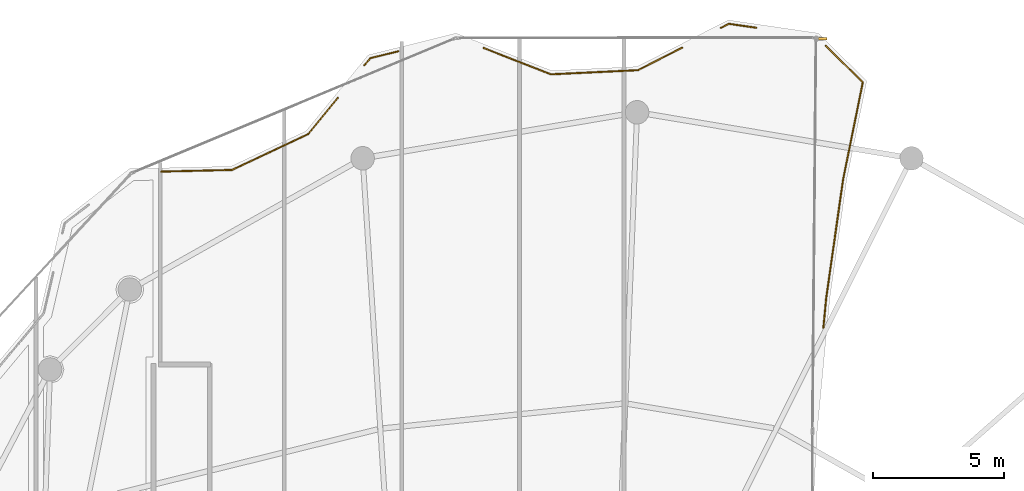
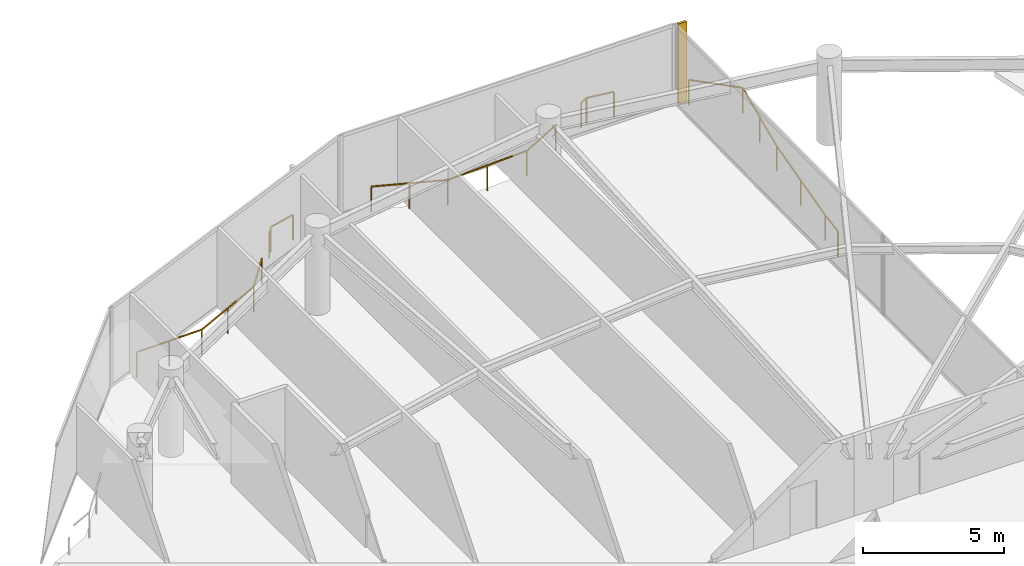
# One storey, part 22 of 22: 5 railings, 1 shading device.
"""IFC4 building model written with IfcOpenShell, lengths in metres."""

import ifcopenshell
import ifcopenshell.guid

model = None  # the IFC model being written
_history = None  # IfcOwnerHistory: only IFC2X3 demands one
_inside = {}  # id of a spatial element -> (the spatial element, [elements in it])
_under = {}  # id of a project, library or spatial element -> (it, [spatial elements below it])
_declared = {}  # id of a project -> (the project, [libraries it declares])
_typed = {}  # id of a type object -> (the type object, [elements of that type])
_made_of = {}  # id of a material, layer set ... -> (it, [elements and type objects made of it])


def new_model(schema):
    """Start an empty IFC model of exactly this schema.

    Asked for "IFC4X3", IfcOpenShell would pick the latest addendum, in which some entities
    have other attributes; the version numbers below select the first issue.
    IFC2X3 requires an IfcOwnerHistory on every rooted entity: one is made here for all.
    """
    global model, _history
    if schema == "IFC4X3":
        model = ifcopenshell.file(schema_version=(4, 3, 0, 0))
    else:
        model = ifcopenshell.file(schema=schema)
    _inside.clear()
    _under.clear()
    _declared.clear()
    _typed.clear()
    _made_of.clear()
    _history = None
    if model.schema == "IFC2X3":
        org = make("IfcOrganization", Name="unknown")
        user = make(
            "IfcPersonAndOrganization",
            ThePerson=make("IfcPerson", FamilyName="unknown"),
            TheOrganization=org,
        )
        app = make(
            "IfcApplication",
            ApplicationDeveloper=org,
            Version="unknown",
            ApplicationFullName="unknown",
            ApplicationIdentifier="unknown",
        )
        _history = make(
            "IfcOwnerHistory",
            OwningUser=user,
            OwningApplication=app,
            ChangeAction="ADDED",
            CreationDate=0,
        )
    return model


def make(cls, **values):
    """One entity of the class cls with the attributes given. An attribute that is None is left unset."""
    return model.create_entity(
        cls, **{name: value for name, value in values.items() if value is not None}
    )


def rooted(cls, **values):
    """An entity with a GlobalId (a new one), such as an element, a storey or a relation."""
    return make(cls, GlobalId=ifcopenshell.guid.new(), OwnerHistory=_history, **values)


def si_unit(unit_type, name, prefix=None):
    """IfcSIUnit, for example si_unit("LENGTHUNIT", "METRE", prefix="MILLI")."""
    return make("IfcSIUnit", UnitType=unit_type, Prefix=prefix, Name=name)


def assignment(units):
    """IfcUnitAssignment: the units of a project."""
    return None if units is None else make("IfcUnitAssignment", Units=units)


def point(xyz):
    """IfcCartesianPoint."""
    return None if xyz is None else make("IfcCartesianPoint", Coordinates=xyz)


def direction(xyz):
    """IfcDirection."""
    return None if xyz is None else make("IfcDirection", DirectionRatios=xyz)


def frame(location, z_axis=None, x_axis=None):
    """IfcAxis2Placement3D, a coordinate frame: its origin and axes. An axis left out is left unset."""
    return make(
        "IfcAxis2Placement3D",
        Location=point(location),
        Axis=direction(z_axis),
        RefDirection=direction(x_axis),
    )


def frame_2d(location, x_axis=None):
    """IfcAxis2Placement2D, a coordinate frame in the plane: its origin and x axis."""
    return make(
        "IfcAxis2Placement2D", Location=point(location), RefDirection=direction(x_axis)
    )


def origin():
    """The frame at (0, 0, 0) with its axes left unset."""
    return frame((0.0, 0.0, 0.0))


def origin_2d():
    """The frame at (0, 0) in the plane with its x axis left unset."""
    return frame_2d((0.0, 0.0))


def place(relative_to, where):
    """IfcLocalPlacement: puts the frame where relative to a parent placement (None: the world)."""
    return make(
        "IfcLocalPlacement", PlacementRelTo=relative_to, RelativePlacement=where
    )


def context(
    kind, dimensions, precision=None, world=None, true_north=None, identifier=None
):
    """IfcGeometricRepresentationContext, for example the 3D "Model" context."""
    return make(
        "IfcGeometricRepresentationContext",
        ContextIdentifier=identifier,
        ContextType=kind,
        CoordinateSpaceDimension=dimensions,
        Precision=precision,
        WorldCoordinateSystem=world,
        TrueNorth=true_north,
    )


def subcontext(parent, identifier, kind, view, scale=None):
    """IfcGeometricRepresentationSubContext, for example "Body" below "Model"."""
    return make(
        "IfcGeometricRepresentationSubContext",
        ContextIdentifier=identifier,
        ContextType=kind,
        ParentContext=parent,
        TargetScale=scale,
        TargetView=view,
    )


def project(units=None, contexts=None):
    """IfcProject with its units and contexts."""
    return rooted(
        "IfcProject",
        Name="project",
        RepresentationContexts=contexts,
        UnitsInContext=assignment(units),
    )


def spatial(cls, under=None, at=None, **own):
    """A site, building, storey or space (cls), placed at a placement, below another one or the project."""
    s = rooted(cls, ObjectPlacement=at, **own)
    if under is not None:
        _under.setdefault(under.id(), (under, []))[1].append(s)
    return s


def profile(cls, at=None, kind="AREA", **sizes):
    """A parametric profile (cls). Its sizes go by their IFC names, for example OverallWidth=200.0."""
    return make(cls, ProfileType=kind, Position=at, **sizes)


def rectangle(**sizes):
    """IfcRectangleProfileDef."""
    return profile("IfcRectangleProfileDef", **sizes)


def extrude(swept, where, along, depth):
    """IfcExtrudedAreaSolid: the profile swept, set in the frame where, extruded along a direction by depth."""
    return make(
        "IfcExtrudedAreaSolid",
        SweptArea=swept,
        Position=where,
        ExtrudedDirection=direction(along),
        Depth=depth,
    )


def shape(context_of_items, identifier, shape_type, items):
    """IfcShapeRepresentation: the items that make up one representation, for example the "Body"."""
    return make(
        "IfcShapeRepresentation",
        ContextOfItems=context_of_items,
        RepresentationIdentifier=identifier,
        RepresentationType=shape_type,
        Items=items,
    )


def material(Name=None, Category=None):
    """IfcMaterial."""
    return make("IfcMaterial", Name=Name, Category=Category)


def made_of(thing, what):
    """Note that an element or type object is made of a material, layer set ...; save() writes the relation."""
    if what is not None:
        _made_of.setdefault(what.id(), (what, []))[1].append(thing)
    return thing


def type_object(cls, material=None, **own):
    """A type object (cls), such as IfcWallType, which elements share."""
    return made_of(rooted(cls, **own), material)


def element(
    cls,
    number,
    at=None,
    inside=None,
    cuts=None,
    type_object=None,
    material=None,
    context=None,
    identifier="Body",
    shape_type=None,
    held_by="IfcProductDefinitionShape",
    body=None,
    shapes=None,
    **own,
):
    """One element of the class cls, such as IfcWall. Its Tag is "e" and its number.

    at: its placement. inside: the storey or other place that contains it. cuts: it is an
    opening in that element (IfcRelVoidsElement). A single representation is given by context,
    identifier, shape_type and body (its items); several are given by shapes. held_by: the class
    of the entity that holds the representations. save() writes the other relations.
    """
    e = rooted(cls, Tag="e%d" % number, ObjectPlacement=at, **own)
    if body is not None:
        shapes = [shape(context, identifier, shape_type, body)]
    if shapes is not None:
        e.Representation = make(held_by, Representations=shapes)
    if inside is not None:
        _inside.setdefault(inside.id(), (inside, []))[1].append(e)
    if cuts is not None:
        rooted(
            "IfcRelVoidsElement", RelatingBuildingElement=cuts, RelatedOpeningElement=e
        )
    if type_object is not None:
        _typed.setdefault(type_object.id(), (type_object, []))[1].append(e)
    return made_of(e, material)


def aggregate(whole, parts):
    """IfcRelAggregates: a whole, such as a stair, and the parts it consists of."""
    return rooted("IfcRelAggregates", RelatingObject=whole, RelatedObjects=parts)


def save(model, path):
    """Write the relations noted so far, then the file.

    IfcRelAggregates (storeys below a building ...), IfcRelContainedInSpatialStructure (elements
    in a storey), IfcRelDefinesByType, IfcRelAssociatesMaterial and IfcRelDeclares: one each for
    every whole, place, type object, material and project.
    """
    for whole, parts in _under.values():
        aggregate(whole, parts)
    for where, things in _inside.values():
        rooted(
            "IfcRelContainedInSpatialStructure",
            RelatedElements=things,
            RelatingStructure=where,
        )
    for kind, things in _typed.values():
        rooted("IfcRelDefinesByType", RelatedObjects=things, RelatingType=kind)
    for what, things in _made_of.values():
        rooted("IfcRelAssociatesMaterial", RelatedObjects=things, RelatingMaterial=what)
    for by, libraries in _declared.values():
        rooted("IfcRelDeclares", RelatingContext=by, RelatedDefinitions=libraries)
    model.write(path)


model = new_model("IFC4")

# Units and contexts
model_context = context("Model", 3, precision=1e-05, world=origin(), true_north=direction((0.0, 1.0)))
body_context = subcontext(model_context, "Body", "Model", "MODEL_VIEW")
ifc_project = project(units=[si_unit("LENGTHUNIT", "METRE"), si_unit("AREAUNIT", "SQUARE_METRE"), si_unit("VOLUMEUNIT", "CUBIC_METRE"), si_unit("PLANEANGLEUNIT", "RADIAN"), si_unit("MASSUNIT", "GRAM", prefix="KILO")], contexts=[model_context])

# Site, building, storey
site_placement = place(None, origin())
site = spatial("IfcSite", under=ifc_project, at=site_placement, CompositionType="ELEMENT")
building_placement = place(site_placement, origin())
building = spatial("IfcBuilding", under=site, at=building_placement, Name="Kazevale Care Tower and Concert Hall", CompositionType="ELEMENT")
storey_placement = place(building_placement, frame((0.0, 0.0, 277.60009765625)))
storey = spatial("IfcBuildingStorey", under=building, at=storey_placement, Name="L73", CompositionType="ELEMENT", Elevation=277.60009765625)

# Railings
ifc_material_1 = material(Name="Anodised Bronze Aluminium and Laminated Glass", Category="aluminium")
railing_type = type_object("IfcRailingType", Name="Balcony and Terrace Balustrade 1120", PredefinedType="BALUSTRADE", material=ifc_material_1)
railing_1_placement = place(storey_placement, frame((26.7890625, 58.881103515625, 0.0)))
element("IfcRailing", 1, at=railing_1_placement, inside=storey, type_object=railing_type, Name="rail:L73:perim:4", PredefinedType="BALUSTRADE", context=body_context, shape_type="SweptSolid", body=[
    extrude(rectangle(XDim=0.048095703125, YDim=0.048095703125, at=origin_2d()), frame((0.0, 0.0, 1.09619140625), z_axis=(0.999729790592, 0.023245339399, 0.0), x_axis=(-0.023245339399, 0.999729790592, 0.0)), (0.0, 0.0, 1.0), 2.709716796875),
    extrude(rectangle(XDim=0.048095703125, YDim=0.048095703125, at=origin_2d()), frame((2.708984375, 0.06298828125, 1.09619140625), z_axis=(0.904530641987, 0.426408627617, 0.0), x_axis=(-0.426408627617, 0.904530641987, 0.0)), (0.0, 0.0, 1.0), 3.229248046875),
    extrude(rectangle(XDim=0.048095703125, YDim=0.048095703125, at=origin_2d()), frame((5.6298828125, 1.43994140625, 1.09619140625), z_axis=(0.633566885495, 0.773687922617, 0.0), x_axis=(-0.773687922617, 0.633566885495, 0.0)), (0.0, 0.0, 1.0), 1.777099609375),
    extrude(rectangle(XDim=0.0419921875, YDim=0.0419921875, at=origin_2d()), origin(), (0.0, 0.0, 1.0), 1.072021484375),
    extrude(rectangle(XDim=0.0419921875, YDim=0.0419921875, at=origin_2d()), frame((1.3544921875, 0.031494140625, 0.0)), (0.0, 0.0, 1.0), 1.072021484375),
    extrude(rectangle(XDim=0.0419921875, YDim=0.0419921875, at=origin_2d()), frame((2.708984375, 0.06298828125, 0.0)), (0.0, 0.0, 1.0), 1.072021484375),
    extrude(rectangle(XDim=0.0419921875, YDim=0.0419921875, at=origin_2d()), frame((4.16943359375, 0.75146484375, 0.0)), (0.0, 0.0, 1.0), 1.072021484375),
    extrude(rectangle(XDim=0.0419921875, YDim=0.0419921875, at=origin_2d()), frame((5.6298828125, 1.43994140625, 0.0)), (0.0, 0.0, 1.0), 1.072021484375),
    extrude(rectangle(XDim=0.0419921875, YDim=0.0419921875, at=origin_2d()), frame((6.755859375, 2.81494140625, 0.0)), (0.0, 0.0, 1.0), 1.072021484375),
])
railing_2_placement = place(storey_placement, frame((34.56689453125, 62.946044921875, 0.0)))
element("IfcRailing", 2, at=railing_2_placement, inside=storey, type_object=railing_type, Name="rail:L73:perim:5", PredefinedType="BALUSTRADE", context=body_context, shape_type="SweptSolid", body=[
    extrude(rectangle(XDim=0.048095703125, YDim=0.048095703125, at=origin_2d()), frame((0.0, 0.0, 1.09619140625), z_axis=(0.634591995609, 0.772847332343, 0.0), x_axis=(-0.772847332343, 0.634591995609, 0.0)), (0.0, 0.0, 1.0), 0.353271484375),
    extrude(rectangle(XDim=0.048095703125, YDim=0.048095703125, at=origin_2d()), frame((0.22412109375, 0.27294921875, 1.09619140625), z_axis=(0.970533156965, 0.240967614487, 0.0), x_axis=(-0.240967614487, 0.970533156965, 0.0)), (0.0, 0.0, 1.0), 1.099365234375),
    extrude(rectangle(XDim=0.0419921875, YDim=0.0419921875, at=origin_2d()), origin(), (0.0, 0.0, 1.0), 1.072021484375),
    extrude(rectangle(XDim=0.0419921875, YDim=0.0419921875, at=origin_2d()), frame((0.22412109375, 0.27294921875, 0.0)), (0.0, 0.0, 1.0), 1.072021484375),
    extrude(rectangle(XDim=0.0419921875, YDim=0.0419921875, at=origin_2d()), frame((1.291015625, 0.537841796875, 0.0)), (0.0, 0.0, 1.0), 1.072021484375),
])
railing_3_placement = place(storey_placement, frame((39.134033203125, 63.60888671875, 0.0)))
element("IfcRailing", 3, at=railing_3_placement, inside=storey, type_object=railing_type, Name="rail:L73:perim:6", PredefinedType="BALUSTRADE", context=body_context, shape_type="SweptSolid", body=[
    extrude(rectangle(XDim=0.048095703125, YDim=0.048095703125, at=origin_2d()), frame((0.0, 0.0, 1.09619140625), z_axis=(0.931241476006, -0.36440268024, 0.0), x_axis=(0.36440268024, 0.931241476006, 0.0)), (0.0, 0.0, 1.0), 2.762939453125),
    extrude(rectangle(XDim=0.048095703125, YDim=0.048095703125, at=origin_2d()), frame((2.572998046875, -1.0068359375, 1.09619140625), z_axis=(0.998849004691, 0.047965256457, 0.0), x_axis=(-0.047965256457, 0.998849004691, 0.0)), (0.0, 0.0, 1.0), 3.333984375),
    extrude(rectangle(XDim=0.048095703125, YDim=0.048095703125, at=origin_2d()), frame((5.903076171875, -0.846923828125, 1.09619140625), z_axis=(0.890537222448, 0.454910381762, 0.0), x_axis=(-0.454910381762, 0.890537222448, 0.0)), (0.0, 0.0, 1.0), 1.886474609375),
    extrude(rectangle(XDim=0.0419921875, YDim=0.0419921875, at=origin_2d()), origin(), (0.0, 0.0, 1.0), 1.072021484375),
    extrude(rectangle(XDim=0.0419921875, YDim=0.0419921875, at=origin_2d()), frame((1.28662109375, -0.50341796875, 0.0)), (0.0, 0.0, 1.0), 1.072021484375),
    extrude(rectangle(XDim=0.0419921875, YDim=0.0419921875, at=origin_2d()), frame((2.572998046875, -1.0068359375, 0.0)), (0.0, 0.0, 1.0), 1.072021484375),
    extrude(rectangle(XDim=0.0419921875, YDim=0.0419921875, at=origin_2d()), frame((4.238037109375, -0.9267578125, 0.0)), (0.0, 0.0, 1.0), 1.072021484375),
    extrude(rectangle(XDim=0.0419921875, YDim=0.0419921875, at=origin_2d()), frame((5.903076171875, -0.846923828125, 0.0)), (0.0, 0.0, 1.0), 1.072021484375),
    extrude(rectangle(XDim=0.0419921875, YDim=0.0419921875, at=origin_2d()), frame((7.5830078125, 0.01123046875, 0.0)), (0.0, 0.0, 1.0), 1.072021484375),
])
railing_4_placement = place(storey_placement, frame((48.2099609375, 64.382080078125, 0.0)))
element("IfcRailing", 4, at=railing_4_placement, inside=storey, type_object=railing_type, Name="rail:L73:perim:7", PredefinedType="BALUSTRADE", context=body_context, shape_type="SweptSolid", body=[
    extrude(rectangle(XDim=0.048095703125, YDim=0.048095703125, at=origin_2d()), frame((0.0, 0.0, 1.09619140625), z_axis=(0.891088968162, 0.453828657997, 0.0), x_axis=(-0.453828657997, 0.891088968162, 0.0)), (0.0, 0.0, 1.0), 0.3388671875),
    extrude(rectangle(XDim=0.048095703125, YDim=0.048095703125, at=origin_2d()), frame((0.302001953125, 0.15380859375, 1.09619140625), z_axis=(0.989508089913, -0.144477472283, 0.0), x_axis=(0.144477472283, 0.989508089913, 0.0)), (0.0, 0.0, 1.0), 1.051025390625),
    extrude(rectangle(XDim=0.0419921875, YDim=0.0419921875, at=origin_2d()), origin(), (0.0, 0.0, 1.0), 1.072021484375),
    extrude(rectangle(XDim=0.0419921875, YDim=0.0419921875, at=origin_2d()), frame((0.302001953125, 0.15380859375, 0.0)), (0.0, 0.0, 1.0), 1.072021484375),
    extrude(rectangle(XDim=0.0419921875, YDim=0.0419921875, at=origin_2d()), frame((1.342041015625, 0.001953125, 0.0)), (0.0, 0.0, 1.0), 1.072021484375),
])
railing_5_placement = place(storey_placement, frame((52.22412109375, 63.69189453125, 0.0)))
element("IfcRailing", 5, at=railing_5_placement, inside=storey, type_object=railing_type, Name="rail:L73:perim:8", PredefinedType="BALUSTRADE", context=body_context, shape_type="SweptSolid", body=[
    extrude(rectangle(XDim=0.048095703125, YDim=0.048095703125, at=origin_2d()), frame((0.0, 0.0, 1.09619140625), z_axis=(0.712137630783, -0.70203988122, 0.0), x_axis=(0.70203988122, 0.712137630783, 0.0)), (0.0, 0.0, 1.0), 1.982666015625),
    extrude(rectangle(XDim=0.048095703125, YDim=0.048095703125, at=origin_2d()), frame((1.411865234375, -1.391845703125, 1.09619140625), z_axis=(-0.199044428373, -0.979990467063, 0.0), x_axis=(0.979990467063, -0.199044428373, 0.0)), (0.0, 0.0, 1.0), 3.78271484375),
    extrude(rectangle(XDim=0.048095703125, YDim=0.048095703125, at=origin_2d()), frame((0.658935546875, -5.098876953125, 1.09619140625), z_axis=(-0.140844645504, -0.990031709509, 0.0), x_axis=(0.990031709509, -0.140844645504, 0.0)), (0.0, 0.0, 1.0), 4.623046875),
    extrude(rectangle(XDim=0.048095703125, YDim=0.048095703125, at=origin_2d()), frame((0.0078125, -9.67578125, 1.09619140625), z_axis=(-0.094120925215, -0.995560772347, 0.0), x_axis=(0.995560772347, -0.094120925215, 0.0)), (0.0, 0.0, 1.0), 1.10498046875),
    extrude(rectangle(XDim=0.0419921875, YDim=0.0419921875, at=origin_2d()), origin(), (0.0, 0.0, 1.0), 1.072021484375),
    extrude(rectangle(XDim=0.0419921875, YDim=0.0419921875, at=origin_2d()), frame((1.411865234375, -1.391845703125, 0.0)), (0.0, 0.0, 1.0), 1.072021484375),
    extrude(rectangle(XDim=0.0419921875, YDim=0.0419921875, at=origin_2d()), frame((1.035400390625, -3.245361328125, 0.0)), (0.0, 0.0, 1.0), 1.072021484375),
    extrude(rectangle(XDim=0.0419921875, YDim=0.0419921875, at=origin_2d()), frame((0.658935546875, -5.098876953125, 0.0)), (0.0, 0.0, 1.0), 1.072021484375),
    extrude(rectangle(XDim=0.0419921875, YDim=0.0419921875, at=origin_2d()), frame((0.33349609375, -7.38720703125, 0.0)), (0.0, 0.0, 1.0), 1.072021484375),
    extrude(rectangle(XDim=0.0419921875, YDim=0.0419921875, at=origin_2d()), frame((0.0078125, -9.67578125, 0.0)), (0.0, 0.0, 1.0), 1.072021484375),
    extrude(rectangle(XDim=0.0419921875, YDim=0.0419921875, at=origin_2d()), frame((-0.09619140625, -10.77587890625, 0.0)), (0.0, 0.0, 1.0), 1.072021484375),
])

# Shading device
ifc_material_2 = material(Name="Anodised Bronze Aluminium", Category="aluminium")
shading_device_type = type_object("IfcShadingDeviceType", Name="Waist Anodised Bronze-Stone Fin FIN-02", PredefinedType="USERDEFINED", material=ifc_material_2)
shading_device_placement = place(storey_placement, frame((52.1025390625, 63.964599609375, 0.0), z_axis=(0.0, 0.0, 1.0), x_axis=(0.999960384766, -0.008901061644, 0.0)))
element("IfcShadingDevice", 6, at=shading_device_placement, inside=storey, type_object=shading_device_type, Name="cw:L73:f13:fin", ObjectType="FIN", PredefinedType="USERDEFINED", context=body_context, shape_type="SweptSolid", body=[
    extrude(rectangle(XDim=0.340087890625, YDim=0.10009765625, at=origin_2d()), origin(), (0.0, 0.0, 1.0), 3.47998046875),
])

save(model, "model.ifc")
